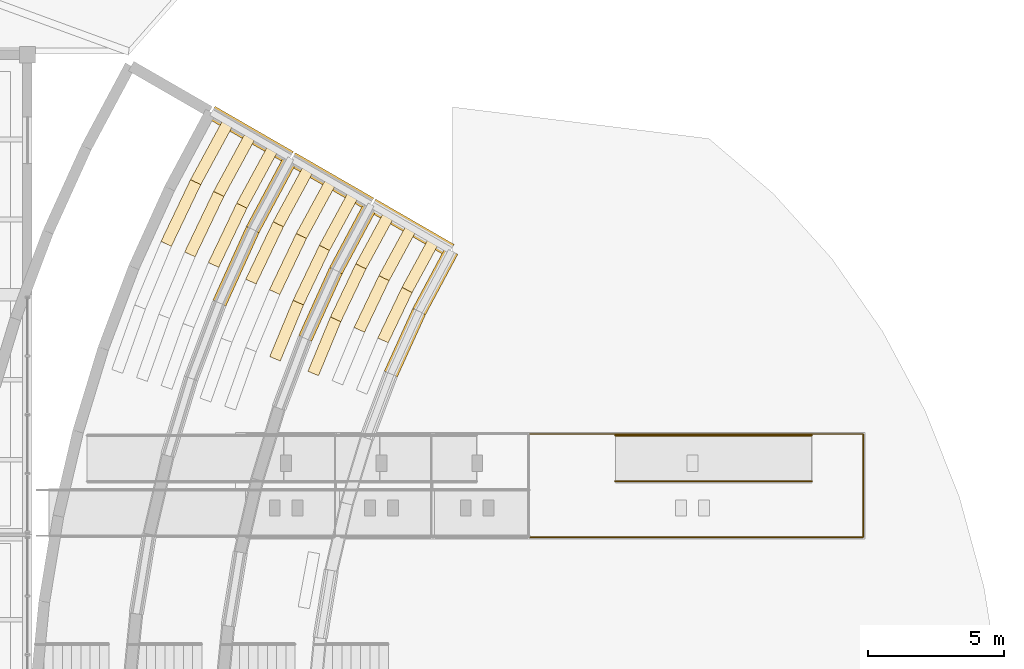
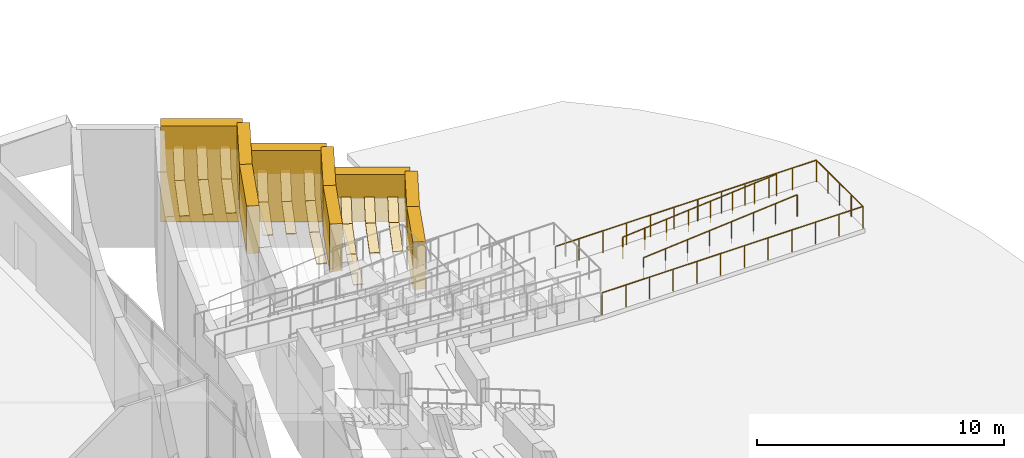
# One storey, part 115 of 116: 29 coverings, 3 railings, 1 element without a shape of its own.
"""IFC4 building model written with IfcOpenShell, lengths in metres."""

from ifc_helpers import new_model, si_unit, direction, frame, origin, origin_2d, place, context, subcontext, project, spatial, polyline, circle, outline, extrude, material, layer, layer_set, type_object, element, aggregate, save


model = new_model("IFC4")

# Units and contexts
model_context = context("Model", 3, precision=1e-05, world=origin(), true_north=direction((0.0, 1.0)))
body_context = subcontext(model_context, "Body", "Model", "MODEL_VIEW")
ifc_project = project(units=[si_unit("LENGTHUNIT", "METRE"), si_unit("AREAUNIT", "SQUARE_METRE"), si_unit("VOLUMEUNIT", "CUBIC_METRE"), si_unit("PLANEANGLEUNIT", "RADIAN"), si_unit("MASSUNIT", "GRAM", prefix="KILO")], contexts=[model_context])

# Site, building, storey
site_placement = place(None, origin())
site = spatial("IfcSite", under=ifc_project, at=site_placement, CompositionType="ELEMENT")
building_placement = place(site_placement, origin())
building = spatial("IfcBuilding", under=site, at=building_placement, Name="Chalmorin Arch Market", CompositionType="ELEMENT")
storey_placement = place(building_placement, origin())
storey = spatial("IfcBuildingStorey", under=building, at=storey_placement, Name="L00", CompositionType="ELEMENT", Elevation=0.0)

# Ramp, railings
ifc_material_1 = material(Name="Concrete C40/50", Category="concrete")
ramp_type = type_object("IfcRampType", Name="AmphitheatreAccessibleRamp-1800", PredefinedType="HALF_TURN_RAMP", material=ifc_material_1)
ramp_placement = place(storey_placement, origin())
ramp = element("IfcRamp", 1, at=ramp_placement, inside=storey, type_object=ramp_type, material=ifc_material_1, Name="RMP-02", PredefinedType="HALF_TURN_RAMP")
ifc_material_2 = material(Name="Galvanised Steel", Category="steel")
ifc_layer_1 = layer(ifc_material_2, 0.054931640625)
ifc_layer_set_1 = layer_set([ifc_layer_1], Name="Galvanised Steel")
railing_type = type_object("IfcRailingType", Name="StairWellGuardrail-1100", PredefinedType="GUARDRAIL", material=ifc_layer_set_1)
railing_1_placement = place(storey_placement, frame((153.62890625, 41.110107421875, 0.60009765625)))
railing_1 = element("IfcRailing", 2, at=railing_1_placement, type_object=railing_type, Name="SG-01-152", PredefinedType="GUARDRAIL", context=body_context, shape_type="SweptSolid", body=[
    extrude(circle(Radius=0.02392578125, at=origin_2d()), frame((0.0, 0.0, 1.076171875), z_axis=(1.0, 0.0, 0.0), x_axis=(0.0, 1.0, 0.0)), (0.0, 0.0, 1.0), 12.211181640625),
    extrude(circle(Radius=0.02392578125, at=origin_2d()), frame((12.211181640625, 0.0, 1.076171875), z_axis=(0.0, 1.0, 0.0), x_axis=(-1.0, 0.0, 0.0)), (0.0, 0.0, 1.0), 3.77978515625),
    extrude(circle(Radius=0.02392578125, at=origin_2d()), frame((12.211181640625, 3.77978515625, 1.076171875), z_axis=(-1.0, 0.0, 0.0), x_axis=(0.0, -1.0, 0.0)), (0.0, 0.0, 1.0), 12.211181640625),
    extrude(circle(Radius=0.02099609375, at=origin_2d()), origin(), (0.0, 0.0, 1.0), 1.052001953125),
    extrude(circle(Radius=0.02099609375, at=origin_2d()), frame((1.110107421875, 0.0, 0.0)), (0.0, 0.0, 1.0), 1.052001953125),
    extrude(circle(Radius=0.02099609375, at=origin_2d()), frame((2.22021484375, 0.0, 0.0)), (0.0, 0.0, 1.0), 1.052001953125),
    extrude(circle(Radius=0.02099609375, at=origin_2d()), frame((3.330322265625, 0.0, 0.0)), (0.0, 0.0, 1.0), 1.052001953125),
    extrude(circle(Radius=0.02099609375, at=origin_2d()), frame((4.4404296875, 0.0, 0.0)), (0.0, 0.0, 1.0), 1.052001953125),
    extrude(circle(Radius=0.02099609375, at=origin_2d()), frame((5.550537109375, 0.0, 0.0)), (0.0, 0.0, 1.0), 1.052001953125),
    extrude(circle(Radius=0.02099609375, at=origin_2d()), frame((6.66064453125, 0.0, 0.0)), (0.0, 0.0, 1.0), 1.052001953125),
    extrude(circle(Radius=0.02099609375, at=origin_2d()), frame((7.770751953125, 0.0, 0.0)), (0.0, 0.0, 1.0), 1.052001953125),
    extrude(circle(Radius=0.02099609375, at=origin_2d()), frame((8.880859375, 0.0, 0.0)), (0.0, 0.0, 1.0), 1.052001953125),
    extrude(circle(Radius=0.02099609375, at=origin_2d()), frame((9.990966796875, 0.0, 0.0)), (0.0, 0.0, 1.0), 1.052001953125),
    extrude(circle(Radius=0.02099609375, at=origin_2d()), frame((11.10107421875, 0.0, 0.0)), (0.0, 0.0, 1.0), 1.052001953125),
    extrude(circle(Radius=0.02099609375, at=origin_2d()), frame((12.211181640625, 0.0, 0.0)), (0.0, 0.0, 1.0), 1.052001953125),
    extrude(circle(Radius=0.02099609375, at=origin_2d()), frame((12.211181640625, 0.94482421875, 0.0)), (0.0, 0.0, 1.0), 1.052001953125),
    extrude(circle(Radius=0.02099609375, at=origin_2d()), frame((12.211181640625, 1.889892578125, 0.0)), (0.0, 0.0, 1.0), 1.052001953125),
    extrude(circle(Radius=0.02099609375, at=origin_2d()), frame((12.211181640625, 2.8349609375, 0.0)), (0.0, 0.0, 1.0), 1.052001953125),
    extrude(circle(Radius=0.02099609375, at=origin_2d()), frame((12.211181640625, 3.77978515625, 0.0)), (0.0, 0.0, 1.0), 1.052001953125),
    extrude(circle(Radius=0.02099609375, at=origin_2d()), frame((11.10107421875, 3.77978515625, 0.0)), (0.0, 0.0, 1.0), 1.052001953125),
    extrude(circle(Radius=0.02099609375, at=origin_2d()), frame((9.990966796875, 3.77978515625, 0.0)), (0.0, 0.0, 1.0), 1.052001953125),
    extrude(circle(Radius=0.02099609375, at=origin_2d()), frame((8.880859375, 3.77978515625, 0.0)), (0.0, 0.0, 1.0), 1.052001953125),
    extrude(circle(Radius=0.02099609375, at=origin_2d()), frame((7.770751953125, 3.77978515625, 0.0)), (0.0, 0.0, 1.0), 1.052001953125),
    extrude(circle(Radius=0.02099609375, at=origin_2d()), frame((6.66064453125, 3.77978515625, 0.0)), (0.0, 0.0, 1.0), 1.052001953125),
    extrude(circle(Radius=0.02099609375, at=origin_2d()), frame((5.550537109375, 3.77978515625, 0.0)), (0.0, 0.0, 1.0), 1.052001953125),
    extrude(circle(Radius=0.02099609375, at=origin_2d()), frame((4.4404296875, 3.77978515625, 0.0)), (0.0, 0.0, 1.0), 1.052001953125),
    extrude(circle(Radius=0.02099609375, at=origin_2d()), frame((3.330322265625, 3.77978515625, 0.0)), (0.0, 0.0, 1.0), 1.052001953125),
    extrude(circle(Radius=0.02099609375, at=origin_2d()), frame((2.22021484375, 3.77978515625, 0.0)), (0.0, 0.0, 1.0), 1.052001953125),
    extrude(circle(Radius=0.02099609375, at=origin_2d()), frame((1.110107421875, 3.77978515625, 0.0)), (0.0, 0.0, 1.0), 1.052001953125),
    extrude(circle(Radius=0.02099609375, at=origin_2d()), frame((0.0, 3.77978515625, 0.0)), (0.0, 0.0, 1.0), 1.052001953125),
])
railing_2_placement = place(storey_placement, frame((156.75, 43.159912109375, 0.0)))
railing_2 = element("IfcRailing", 3, at=railing_2_placement, type_object=railing_type, Name="SG-01-153", PredefinedType="GUARDRAIL", context=body_context, shape_type="SweptSolid", body=[
    extrude(circle(Radius=0.02392578125, at=origin_2d()), frame((0.0, 0.0, 1.076171875), z_axis=(0.996544592923, 0.0, 0.083059462528), x_axis=(0.0, 1.0, 0.0)), (0.0, 0.0, 1.0), 7.224853515625),
    extrude(circle(Radius=0.02099609375, at=origin_2d()), origin(), (0.0, 0.0, 1.0), 1.052001953125),
    extrude(circle(Radius=0.02099609375, at=origin_2d()), frame((1.028564453125, 0.0, 0.085693359375)), (0.0, 0.0, 1.0), 1.052001953125),
    extrude(circle(Radius=0.02099609375, at=origin_2d()), frame((2.05712890625, 0.0, 0.17138671875)), (0.0, 0.0, 1.0), 1.052001953125),
    extrude(circle(Radius=0.02099609375, at=origin_2d()), frame((3.085693359375, 0.0, 0.257080078125)), (0.0, 0.0, 1.0), 1.052001953125),
    extrude(circle(Radius=0.02099609375, at=origin_2d()), frame((4.1142578125, 0.0, 0.343017578125)), (0.0, 0.0, 1.0), 1.052001953125),
    extrude(circle(Radius=0.02099609375, at=origin_2d()), frame((5.142822265625, 0.0, 0.4287109375)), (0.0, 0.0, 1.0), 1.052001953125),
    extrude(circle(Radius=0.02099609375, at=origin_2d()), frame((6.17138671875, 0.0, 0.514404296875)), (0.0, 0.0, 1.0), 1.052001953125),
    extrude(circle(Radius=0.02099609375, at=origin_2d()), frame((7.199951171875, 0.0, 0.60009765625)), (0.0, 0.0, 1.0), 1.052001953125),
])
railing_3_placement = place(storey_placement, frame((156.75, 44.840087890625, 0.0)))
railing_3 = element("IfcRailing", 4, at=railing_3_placement, type_object=railing_type, Name="SG-01-155", PredefinedType="GUARDRAIL", context=body_context, shape_type="SweptSolid", body=[
    extrude(circle(Radius=0.02392578125, at=origin_2d()), frame((0.0, 0.0, 1.076171875), z_axis=(0.996544592923, 0.0, 0.083059462528), x_axis=(0.0, 1.0, 0.0)), (0.0, 0.0, 1.0), 7.224853515625),
    extrude(circle(Radius=0.02099609375, at=origin_2d()), origin(), (0.0, 0.0, 1.0), 1.052001953125),
    extrude(circle(Radius=0.02099609375, at=origin_2d()), frame((1.028564453125, 0.0, 0.085693359375)), (0.0, 0.0, 1.0), 1.052001953125),
    extrude(circle(Radius=0.02099609375, at=origin_2d()), frame((2.05712890625, 0.0, 0.17138671875)), (0.0, 0.0, 1.0), 1.052001953125),
    extrude(circle(Radius=0.02099609375, at=origin_2d()), frame((3.085693359375, 0.0, 0.257080078125)), (0.0, 0.0, 1.0), 1.052001953125),
    extrude(circle(Radius=0.02099609375, at=origin_2d()), frame((4.1142578125, 0.0, 0.343017578125)), (0.0, 0.0, 1.0), 1.052001953125),
    extrude(circle(Radius=0.02099609375, at=origin_2d()), frame((5.142822265625, 0.0, 0.4287109375)), (0.0, 0.0, 1.0), 1.052001953125),
    extrude(circle(Radius=0.02099609375, at=origin_2d()), frame((6.17138671875, 0.0, 0.514404296875)), (0.0, 0.0, 1.0), 1.052001953125),
    extrude(circle(Radius=0.02099609375, at=origin_2d()), frame((7.199951171875, 0.0, 0.60009765625)), (0.0, 0.0, 1.0), 1.052001953125),
])
aggregate(ramp, [railing_1, railing_2, railing_3])

# Coverings
ifc_material_3 = material(Name="Planted Green Roof Turf")
ifc_layer_2 = layer(ifc_material_3, 0.044921875)
ifc_layer_set_2 = layer_set([ifc_layer_2], Name="Planted Green Roof Turf")
covering_type_1 = type_object("IfcCoveringType", Name="VegetatedMoundTurfStrip-45", PredefinedType="ROOFING", material=ifc_layer_set_2)
covering_1_placement = place(storey_placement, frame((0.0, 0.0, 1.199951171875)))
element("IfcCovering", 5, at=covering_1_placement, inside=storey, type_object=covering_type_1, Name="VMT-45-034", PredefinedType="ROOFING", context=body_context, shape_type="SweptSolid", body=[
    extrude(outline(polyline([(149.910400390625, 52.0751953125), (148.9326171875, 50.274169921875), (149.301513671875, 50.07373046875), (150.279541015625, 51.874755859375), (149.910400390625, 52.0751953125)])), origin(), (0.0, 0.0, 1.0), 0.045166015625),
])
covering_2_placement = place(storey_placement, frame((0.0, 0.0, 1.199951171875)))
element("IfcCovering", 6, at=covering_2_placement, inside=storey, type_object=covering_type_1, Name="VMT-45-035", PredefinedType="ROOFING", context=body_context, shape_type="SweptSolid", body=[
    extrude(outline(polyline([(148.927490234375, 50.264404296875), (148.04541015625, 48.414306640625), (148.424560546875, 48.233642578125), (149.306640625, 50.08349609375), (148.927490234375, 50.264404296875)])), origin(), (0.0, 0.0, 1.0), 0.045166015625),
])
covering_3_placement = place(storey_placement, frame((0.0, 0.0, 1.199951171875)))
element("IfcCovering", 7, at=covering_3_placement, inside=storey, type_object=covering_type_1, Name="VMT-45-044", PredefinedType="ROOFING", context=body_context, shape_type="SweptSolid", body=[
    extrude(outline(polyline([(149.08740234375, 52.550048828125), (148.08642578125, 50.705078125), (148.45556640625, 50.5048828125), (149.45654296875, 52.349853515625), (149.08740234375, 52.550048828125)])), origin(), (0.0, 0.0, 1.0), 0.045166015625),
])
covering_4_placement = place(storey_placement, frame((0.0, 0.0, 1.199951171875)))
element("IfcCovering", 8, at=covering_4_placement, inside=storey, type_object=covering_type_1, Name="VMT-45-045", PredefinedType="ROOFING", context=body_context, shape_type="SweptSolid", body=[
    extrude(outline(polyline([(148.08154296875, 50.6953125), (147.177490234375, 48.80029296875), (147.556396484375, 48.61962890625), (148.46044921875, 50.5146484375), (148.08154296875, 50.6953125)])), origin(), (0.0, 0.0, 1.0), 0.045166015625),
])
covering_5_placement = place(storey_placement, frame((0.0, 0.0, 1.199951171875)))
element("IfcCovering", 9, at=covering_5_placement, inside=storey, type_object=covering_type_1, Name="VMT-45-052", PredefinedType="ROOFING", context=body_context, shape_type="SweptSolid", body=[
    extrude(outline(polyline([(148.265380859375, 53.025146484375), (147.239501953125, 51.13623046875), (147.6083984375, 50.935791015625), (148.634521484375, 52.82470703125), (148.265380859375, 53.025146484375)])), origin(), (0.0, 0.0, 1.0), 0.045166015625),
])
covering_6_placement = place(storey_placement, frame((0.0, 0.0, 1.199951171875)))
element("IfcCovering", 10, at=covering_6_placement, inside=storey, type_object=covering_type_1, Name="VMT-45-053", PredefinedType="ROOFING", context=body_context, shape_type="SweptSolid", body=[
    extrude(outline(polyline([(147.234619140625, 51.12646484375), (146.3095703125, 49.1875), (146.6884765625, 49.006591796875), (147.613525390625, 50.945556640625), (147.234619140625, 51.12646484375)])), origin(), (0.0, 0.0, 1.0), 0.045166015625),
])
covering_7_placement = place(storey_placement, frame((0.0, 0.0, 1.199951171875)))
element("IfcCovering", 11, at=covering_7_placement, inside=storey, type_object=covering_type_1, Name="VMT-45-054", PredefinedType="ROOFING", context=body_context, shape_type="SweptSolid", body=[
    extrude(outline(polyline([(146.304931640625, 49.17724609375), (145.48291015625, 47.19140625), (145.87109375, 47.03076171875), (146.693115234375, 49.0166015625), (146.304931640625, 49.17724609375)])), origin(), (0.0, 0.0, 1.0), 0.045166015625),
])
covering_8_placement = place(storey_placement, frame((0.0, 0.0, 2.39990234375)))
element("IfcCovering", 12, at=covering_8_placement, inside=storey, type_object=covering_type_1, Name="VMT-45-060", PredefinedType="ROOFING", context=body_context, shape_type="SweptSolid", body=[
    extrude(outline(polyline([(146.96630859375, 53.775146484375), (145.9033203125, 51.817138671875), (146.272705078125, 51.61669921875), (147.335693359375, 53.57470703125), (146.96630859375, 53.775146484375)])), origin(), (0.0, 0.0, 1.0), 0.045166015625),
])
covering_9_placement = place(storey_placement, frame((0.0, 0.0, 2.39990234375)))
element("IfcCovering", 13, at=covering_9_placement, inside=storey, type_object=covering_type_1, Name="VMT-45-061", PredefinedType="ROOFING", context=body_context, shape_type="SweptSolid", body=[
    extrude(outline(polyline([(145.8984375, 51.807373046875), (144.939453125, 49.79736328125), (145.318603515625, 49.61669921875), (146.277587890625, 51.626708984375), (145.8984375, 51.807373046875)])), origin(), (0.0, 0.0, 1.0), 0.045166015625),
])
covering_10_placement = place(storey_placement, frame((0.0, 0.0, 2.39990234375)))
element("IfcCovering", 14, at=covering_10_placement, inside=storey, type_object=covering_type_1, Name="VMT-45-062", PredefinedType="ROOFING", context=body_context, shape_type="SweptSolid", body=[
    extrude(outline(polyline([(144.93505859375, 49.787353515625), (144.08203125, 47.7294921875), (144.469970703125, 47.568603515625), (145.322998046875, 49.626708984375), (144.93505859375, 49.787353515625)])), origin(), (0.0, 0.0, 1.0), 0.045166015625),
])
covering_11_placement = place(storey_placement, frame((0.0, 0.0, 2.39990234375)))
element("IfcCovering", 15, at=covering_11_placement, inside=storey, type_object=covering_type_1, Name="VMT-45-068", PredefinedType="ROOFING", context=body_context, shape_type="SweptSolid", body=[
    extrude(outline(polyline([(146.1435546875, 54.250244140625), (145.056396484375, 52.249267578125), (145.425537109375, 52.048828125), (146.512451171875, 54.0498046875), (146.1435546875, 54.250244140625)])), origin(), (0.0, 0.0, 1.0), 0.045166015625),
])
covering_12_placement = place(storey_placement, frame((0.0, 0.0, 2.39990234375)))
element("IfcCovering", 16, at=covering_12_placement, inside=storey, type_object=covering_type_1, Name="VMT-45-069", PredefinedType="ROOFING", context=body_context, shape_type="SweptSolid", body=[
    extrude(outline(polyline([(145.051513671875, 52.239501953125), (144.0712890625, 50.183349609375), (144.45068359375, 50.002685546875), (145.4306640625, 52.05859375), (145.051513671875, 52.239501953125)])), origin(), (0.0, 0.0, 1.0), 0.045166015625),
])
covering_13_placement = place(storey_placement, frame((0.0, 0.0, 2.39990234375)))
element("IfcCovering", 17, at=covering_13_placement, inside=storey, type_object=covering_type_1, Name="VMT-45-078", PredefinedType="ROOFING", context=body_context, shape_type="SweptSolid", body=[
    extrude(outline(polyline([(145.3203125, 54.72509765625), (144.21044921875, 52.68017578125), (144.57958984375, 52.479736328125), (145.689697265625, 54.52490234375), (145.3203125, 54.72509765625)])), origin(), (0.0, 0.0, 1.0), 0.045166015625),
])
covering_14_placement = place(storey_placement, frame((0.0, 0.0, 2.39990234375)))
element("IfcCovering", 18, at=covering_14_placement, inside=storey, type_object=covering_type_1, Name="VMT-45-079", PredefinedType="ROOFING", context=body_context, shape_type="SweptSolid", body=[
    extrude(outline(polyline([(144.20556640625, 52.67041015625), (143.20361328125, 50.5693359375), (143.58251953125, 50.388671875), (144.58447265625, 52.489501953125), (144.20556640625, 52.67041015625)])), origin(), (0.0, 0.0, 1.0), 0.045166015625),
])
covering_15_placement = place(storey_placement, frame((0.0, 0.0, 3.60009765625)))
element("IfcCovering", 19, at=covering_15_placement, inside=storey, type_object=covering_type_1, Name="VMT-45-088", PredefinedType="ROOFING", context=body_context, shape_type="SweptSolid", body=[
    extrude(outline(polyline([(144.021484375, 55.47509765625), (142.87353515625, 53.361083984375), (143.242431640625, 53.160888671875), (144.390380859375, 55.27490234375), (144.021484375, 55.47509765625)])), origin(), (0.0, 0.0, 1.0), 0.044921875),
])
covering_16_placement = place(storey_placement, frame((0.0, 0.0, 3.60009765625)))
element("IfcCovering", 20, at=covering_16_placement, inside=storey, type_object=covering_type_1, Name="VMT-45-089", PredefinedType="ROOFING", context=body_context, shape_type="SweptSolid", body=[
    extrude(outline(polyline([(142.868408203125, 53.351318359375), (141.83349609375, 51.180419921875), (142.212646484375, 50.99951171875), (143.24755859375, 53.170654296875), (142.868408203125, 53.351318359375)])), origin(), (0.0, 0.0, 1.0), 0.044921875),
])
covering_17_placement = place(storey_placement, frame((0.0, 0.0, 3.60009765625)))
element("IfcCovering", 21, at=covering_17_placement, inside=storey, type_object=covering_type_1, Name="VMT-45-098", PredefinedType="ROOFING", context=body_context, shape_type="SweptSolid", body=[
    extrude(outline(polyline([(143.198486328125, 55.9501953125), (142.02734375, 53.792236328125), (142.396484375, 53.591796875), (143.567626953125, 55.749755859375), (143.198486328125, 55.9501953125)])), origin(), (0.0, 0.0, 1.0), 0.044921875),
])
covering_18_placement = place(storey_placement, frame((0.0, 0.0, 3.60009765625)))
element("IfcCovering", 22, at=covering_18_placement, inside=storey, type_object=covering_type_1, Name="VMT-45-099", PredefinedType="ROOFING", context=body_context, shape_type="SweptSolid", body=[
    extrude(outline(polyline([(142.0224609375, 53.782470703125), (140.965576171875, 51.56640625), (141.344482421875, 51.385498046875), (142.401611328125, 53.6015625), (142.0224609375, 53.782470703125)])), origin(), (0.0, 0.0, 1.0), 0.044921875),
])
covering_19_placement = place(storey_placement, frame((0.0, 0.0, 3.60009765625)))
element("IfcCovering", 23, at=covering_19_placement, inside=storey, type_object=covering_type_1, Name="VMT-45-108", PredefinedType="ROOFING", context=body_context, shape_type="SweptSolid", body=[
    extrude(outline(polyline([(142.37646484375, 56.42529296875), (141.180419921875, 54.22314453125), (141.549560546875, 54.022705078125), (142.74560546875, 56.224853515625), (142.37646484375, 56.42529296875)])), origin(), (0.0, 0.0, 1.0), 0.044921875),
])
covering_20_placement = place(storey_placement, frame((0.0, 0.0, 3.60009765625)))
element("IfcCovering", 24, at=covering_20_placement, inside=storey, type_object=covering_type_1, Name="VMT-45-109", PredefinedType="ROOFING", context=body_context, shape_type="SweptSolid", body=[
    extrude(outline(polyline([(141.17529296875, 54.21337890625), (140.097412109375, 51.952392578125), (140.4765625, 51.771484375), (141.5546875, 54.03271484375), (141.17529296875, 54.21337890625)])), origin(), (0.0, 0.0, 1.0), 0.044921875),
])
ifc_material_4 = material(Name="Precast concrete C40/50", Category="concrete")
ifc_layer_3 = layer(ifc_material_4, 0.054931640625)
ifc_layer_set_3 = layer_set([ifc_layer_3], Name="Precast concrete C40/50")
covering_type_2 = type_object("IfcCoveringType", Name="WhiteArchitecturalPrecastCladding-55", PredefinedType="CLADDING", material=ifc_layer_set_3)
covering_21_placement = place(storey_placement, frame((0.0, 0.0, 0.010009765625)))
element("IfcCovering", 25, at=covering_21_placement, inside=storey, type_object=covering_type_2, Name="WPC-55-001", PredefinedType="CLADDING", context=body_context, shape_type="SweptSolid", body=[
    extrude(outline(polyline([(150.515625, 51.72265625), (149.330810546875, 49.506591796875), (149.789306640625, 49.261474609375), (150.974365234375, 51.477294921875), (150.515625, 51.72265625)])), origin(), (0.0, 0.0, 1.0), 2.35009765625),
])
covering_22_placement = place(storey_placement, frame((0.0, 0.0, 0.010009765625)))
element("IfcCovering", 26, at=covering_22_placement, inside=storey, type_object=covering_type_2, Name="WPC-55-002", PredefinedType="CLADDING", context=body_context, shape_type="SweptSolid", body=[
    extrude(outline(polyline([(149.3232421875, 49.4912109375), (148.2861328125, 47.202392578125), (148.759765625, 46.98779296875), (149.796875, 49.276611328125), (149.3232421875, 49.4912109375)])), origin(), (0.0, 0.0, 1.0), 2.35009765625),
])
covering_23_placement = place(storey_placement, frame((0.0, 0.0, 1.2099609375)))
element("IfcCovering", 27, at=covering_23_placement, inside=storey, type_object=covering_type_2, Name="WPC-55-017", PredefinedType="CLADDING", context=body_context, shape_type="SweptSolid", body=[
    extrude(outline(polyline([(147.57080078125, 53.422607421875), (146.28173828125, 51.010498046875), (146.740234375, 50.765380859375), (148.029296875, 53.177490234375), (147.57080078125, 53.422607421875)])), origin(), (0.0, 0.0, 1.0), 2.35009765625),
])
covering_24_placement = place(storey_placement, frame((0.0, 0.0, 1.2099609375)))
element("IfcCovering", 28, at=covering_24_placement, inside=storey, type_object=covering_type_2, Name="WPC-55-018", PredefinedType="CLADDING", context=body_context, shape_type="SweptSolid", body=[
    extrude(outline(polyline([(146.274169921875, 50.995361328125), (145.145263671875, 48.50341796875), (145.618896484375, 48.288818359375), (146.747802734375, 50.78076171875), (146.274169921875, 50.995361328125)])), origin(), (0.0, 0.0, 1.0), 2.35009765625),
])
covering_25_placement = place(storey_placement, frame((0.0, 0.0, 2.409912109375)))
element("IfcCovering", 29, at=covering_25_placement, inside=storey, type_object=covering_type_2, Name="WPC-55-033", PredefinedType="CLADDING", context=body_context, shape_type="SweptSolid", body=[
    extrude(outline(polyline([(144.626708984375, 55.12255859375), (143.231689453125, 52.513671875), (143.690185546875, 52.268310546875), (145.085205078125, 54.87744140625), (144.626708984375, 55.12255859375)])), origin(), (0.0, 0.0, 1.0), 2.35009765625),
])
covering_26_placement = place(storey_placement, frame((0.0, 0.0, 2.409912109375)))
element("IfcCovering", 30, at=covering_26_placement, inside=storey, type_object=covering_type_2, Name="WPC-55-034", PredefinedType="CLADDING", context=body_context, shape_type="SweptSolid", body=[
    extrude(outline(polyline([(143.22412109375, 52.498291015625), (142.004150390625, 49.80419921875), (142.477783203125, 49.589599609375), (143.69775390625, 52.28369140625), (143.22412109375, 52.498291015625)])), origin(), (0.0, 0.0, 1.0), 2.35009765625),
])
covering_27_placement = place(storey_placement, frame((0.0, 0.0, 0.010009765625)))
element("IfcCovering", 31, at=covering_27_placement, inside=storey, type_object=covering_type_2, Name="WPC-55-081", PredefinedType="CLADDING", context=body_context, shape_type="SweptSolid", body=[
    extrude(outline(polyline([(150.840087890625, 51.84521484375), (147.965087890625, 53.505126953125), (147.705078125, 53.0546875), (150.580078125, 51.394775390625), (150.840087890625, 51.84521484375)])), origin(), (0.0, 0.0, 1.0), 2.35009765625),
])
covering_28_placement = place(storey_placement, frame((0.0, 0.0, 0.010009765625)))
element("IfcCovering", 32, at=covering_28_placement, inside=storey, type_object=covering_type_2, Name="WPC-55-083", PredefinedType="CLADDING", context=body_context, shape_type="SweptSolid", body=[
    extrude(outline(polyline([(147.89501953125, 53.545166015625), (145.02001953125, 55.205078125), (144.760009765625, 54.7548828125), (147.635009765625, 53.0947265625), (147.89501953125, 53.545166015625)])), origin(), (0.0, 0.0, 1.0), 3.550048828125),
])
covering_29_placement = place(storey_placement, frame((0.0, 0.0, 0.010009765625)))
element("IfcCovering", 33, at=covering_29_placement, inside=storey, type_object=covering_type_2, Name="WPC-55-085", PredefinedType="CLADDING", context=body_context, shape_type="SweptSolid", body=[
    extrude(outline(polyline([(144.950927734375, 55.2451171875), (142.075927734375, 56.9052734375), (141.81591796875, 56.454833984375), (144.69091796875, 54.794921875), (144.950927734375, 55.2451171875)])), origin(), (0.0, 0.0, 1.0), 4.75),
])

save(model, "model.ifc")
